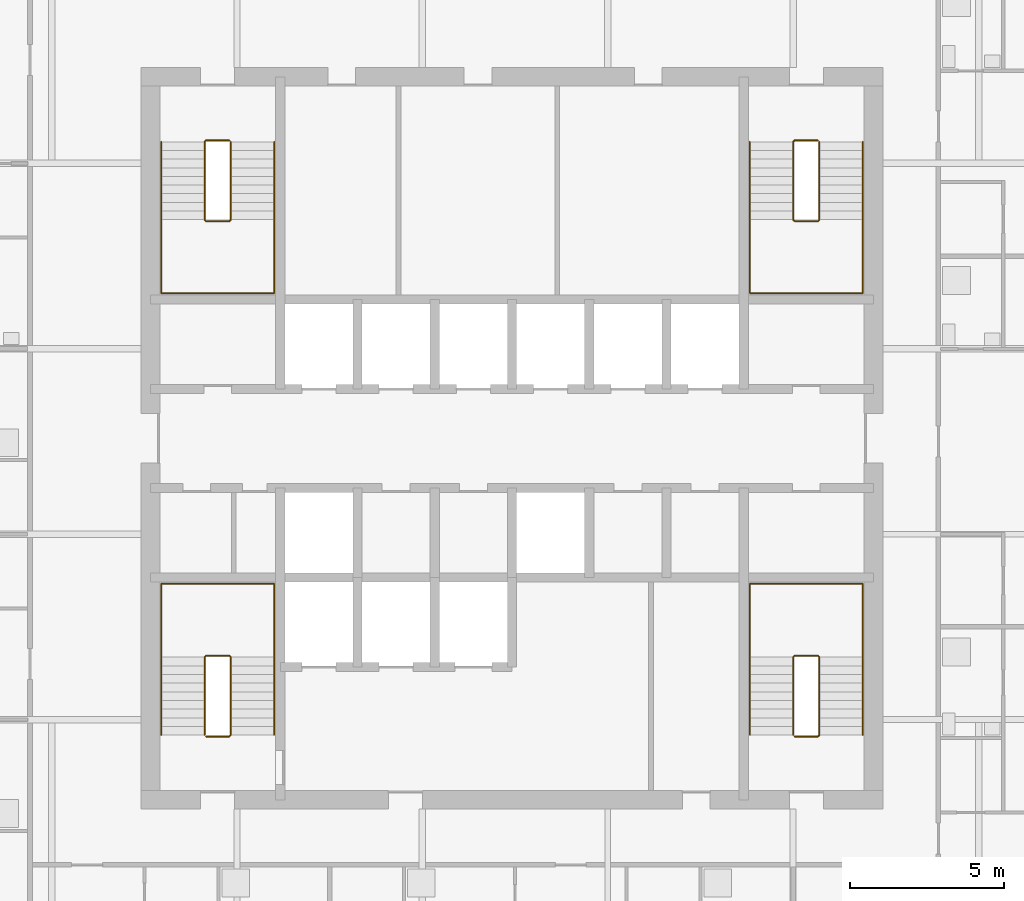
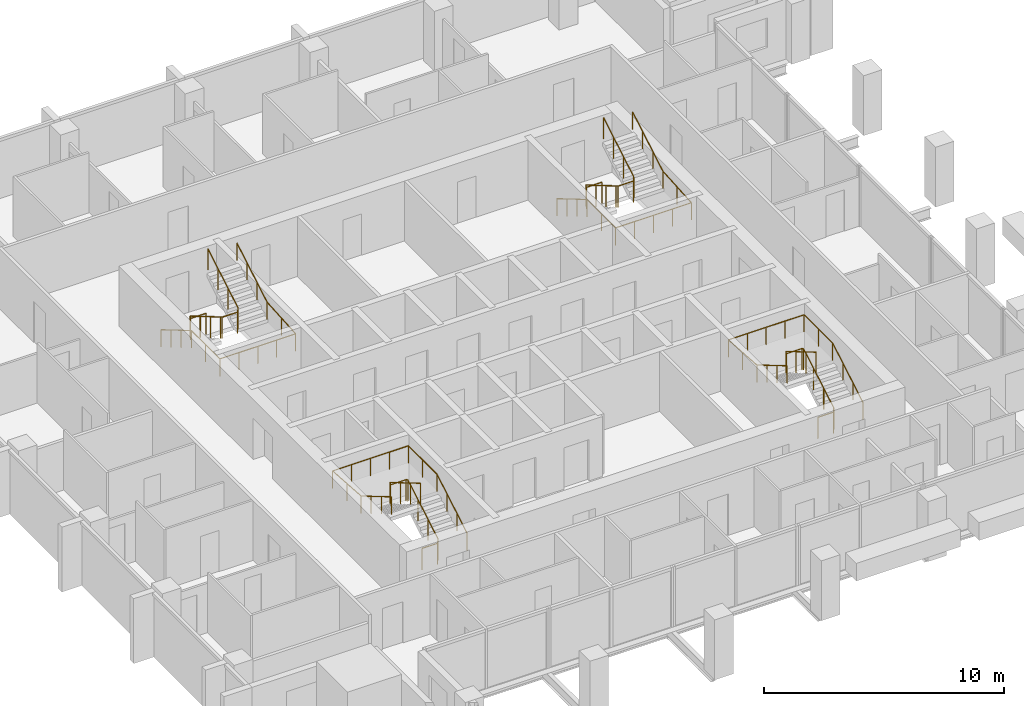
# One storey, part 13 of 14: 8 railings.
"""IFC4 building model written with IfcOpenShell, lengths in metres."""

from ifc_helpers import new_model, si_unit, direction, frame, origin, origin_2d, place, context, subcontext, project, spatial, circle, extrude, material, type_object, element, save


model = new_model("IFC4")

# Units and contexts
model_context = context("Model", 3, precision=1e-05, world=origin(), true_north=direction((0.0, 1.0)))
body_context = subcontext(model_context, "Body", "Model", "MODEL_VIEW")
ifc_project = project(units=[si_unit("LENGTHUNIT", "METRE"), si_unit("AREAUNIT", "SQUARE_METRE"), si_unit("VOLUMEUNIT", "CUBIC_METRE"), si_unit("PLANEANGLEUNIT", "RADIAN"), si_unit("MASSUNIT", "GRAM", prefix="KILO")], contexts=[model_context])

# Site, building, storey
site_placement = place(None, origin())
site = spatial("IfcSite", under=ifc_project, at=site_placement, CompositionType="ELEMENT")
building_placement = place(site_placement, origin())
building = spatial("IfcBuilding", under=site, at=building_placement, Name="Amberfall Residences", CompositionType="ELEMENT")
storey_placement = place(building_placement, frame((0.0, 0.0, 220.0)))
storey = spatial("IfcBuildingStorey", under=building, at=storey_placement, Name="L59", CompositionType="ELEMENT", Elevation=220.0)

# Railings
ifc_material = material(Name="Stainless steel 316", Category="steel")
railing_type_1 = type_object("IfcRailingType", Name="Stair guard 1100", PredefinedType="GUARDRAIL", material=ifc_material)
railing_1_placement = place(storey_placement, frame((64.60009765625, 35.85009765625, 0.0)))
element("IfcRailing", 1, at=railing_1_placement, inside=storey, type_object=railing_type_1, Name="L59 stair 1 guard", PredefinedType="GUARDRAIL", context=body_context, shape_type="SweptSolid", body=[
    extrude(circle(Radius=0.02392578125, at=origin_2d()), frame((0.0, 0.0, 1.076171875), z_axis=(1.0, 0.0, 0.0), x_axis=(0.0, 1.0, 0.0)), (0.0, 0.0, 1.0), 0.75),
    extrude(circle(Radius=0.02392578125, at=origin_2d()), frame((0.75, 0.0, 1.076171875), z_axis=(0.27755538755, 0.27755538755, 0.919742362667), x_axis=(-0.707106781187, 0.707106781187, 0.0)), (0.0, 0.0, 1.0), 0.179443359375),
    extrude(circle(Radius=0.02392578125, at=origin_2d()), frame((0.7998046875, 0.0498046875, 1.2412109375), z_axis=(0.0, 0.861560626758, 0.507654692109), x_axis=(-1.0, 0.0, 0.0)), (0.0, 0.0, 1.0), 2.925048828125),
    extrude(circle(Radius=0.02392578125, at=origin_2d()), frame((0.7998046875, 2.56982421875, 2.72607421875), z_axis=(-0.705375805398, 0.708833529934, 0.0), x_axis=(-0.708833529934, -0.705375805398, 0.0)), (0.0, 0.0, 1.0), 0.070556640625),
    extrude(circle(Radius=0.02392578125, at=origin_2d()), frame((0.75, 2.619873046875, 2.72607421875), z_axis=(-1.0, 0.0, 0.0), x_axis=(0.0, -1.0, 0.0)), (0.0, 0.0, 1.0), 0.75),
    extrude(circle(Radius=0.02392578125, at=origin_2d()), frame((0.0, 2.619873046875, 2.72607421875), z_axis=(-0.278705021027, -0.278705021027, 0.919046801044), x_axis=(0.707106781187, -0.707106781187, 0.0)), (0.0, 0.0, 1.0), 0.1796875),
    extrude(circle(Radius=0.02392578125, at=origin_2d()), frame((-0.050048828125, 2.56982421875, 2.89111328125), z_axis=(0.0, -0.86152411907, 0.507716645641), x_axis=(1.0, 0.0, 0.0)), (0.0, 0.0, 1.0), 2.925048828125),
    extrude(circle(Radius=0.02099609375, at=origin_2d()), origin(), (0.0, 0.0, 1.0), 1.052001953125),
    extrude(circle(Radius=0.02099609375, at=origin_2d()), frame((0.75, 0.0, 0.0)), (0.0, 0.0, 1.0), 1.052001953125),
    extrude(circle(Radius=0.02099609375, at=origin_2d()), frame((0.7998046875, 0.0498046875, 0.1650390625)), (0.0, 0.0, 1.0), 1.052001953125),
    extrude(circle(Radius=0.02099609375, at=origin_2d()), frame((0.7998046875, 0.889892578125, 0.659912109375)), (0.0, 0.0, 1.0), 1.052001953125),
    extrude(circle(Radius=0.02099609375, at=origin_2d()), frame((0.7998046875, 1.729736328125, 1.155029296875)), (0.0, 0.0, 1.0), 1.052001953125),
    extrude(circle(Radius=0.02099609375, at=origin_2d()), frame((0.7998046875, 2.56982421875, 1.64990234375)), (0.0, 0.0, 1.0), 1.052001953125),
    extrude(circle(Radius=0.02099609375, at=origin_2d()), frame((0.75, 2.619873046875, 1.64990234375)), (0.0, 0.0, 1.0), 1.052001953125),
    extrude(circle(Radius=0.02099609375, at=origin_2d()), frame((0.0, 2.619873046875, 1.64990234375)), (0.0, 0.0, 1.0), 1.052001953125),
    extrude(circle(Radius=0.02099609375, at=origin_2d()), frame((-0.050048828125, 2.56982421875, 1.81494140625)), (0.0, 0.0, 1.0), 1.052001953125),
    extrude(circle(Radius=0.02099609375, at=origin_2d()), frame((-0.050048828125, 1.729736328125, 2.31005859375)), (0.0, 0.0, 1.0), 1.052001953125),
    extrude(circle(Radius=0.02099609375, at=origin_2d()), frame((-0.050048828125, 0.889892578125, 2.804931640625)), (0.0, 0.0, 1.0), 1.052001953125),
    extrude(circle(Radius=0.02099609375, at=origin_2d()), frame((-0.050048828125, 0.0498046875, 3.300048828125)), (0.0, 0.0, 1.0), 1.052001953125),
])
railing_2_placement = place(storey_placement, frame((83.64990234375, 35.85009765625, 0.0)))
element("IfcRailing", 2, at=railing_2_placement, inside=storey, type_object=railing_type_1, Name="L59 stair 2 guard", PredefinedType="GUARDRAIL", context=body_context, shape_type="SweptSolid", body=[
    extrude(circle(Radius=0.02392578125, at=origin_2d()), frame((0.0, 0.0, 1.076171875), z_axis=(1.0, 0.0, 0.0), x_axis=(0.0, 1.0, 0.0)), (0.0, 0.0, 1.0), 0.75),
    extrude(circle(Radius=0.02392578125, at=origin_2d()), frame((0.75, 0.0, 1.076171875), z_axis=(0.278810427259, 0.277450376394, 0.919394384522), x_axis=(-0.705375805398, 0.708833529934, 0.0)), (0.0, 0.0, 1.0), 0.179443359375),
    extrude(circle(Radius=0.02392578125, at=origin_2d()), frame((0.800048828125, 0.0498046875, 1.2412109375), z_axis=(0.0, 0.861560626758, 0.507654692109), x_axis=(-1.0, 0.0, 0.0)), (0.0, 0.0, 1.0), 2.925048828125),
    extrude(circle(Radius=0.02392578125, at=origin_2d()), frame((0.800048828125, 2.56982421875, 2.72607421875), z_axis=(-0.707106781187, 0.707106781187, 0.0), x_axis=(-0.707106781187, -0.707106781187, 0.0)), (0.0, 0.0, 1.0), 0.07080078125),
    extrude(circle(Radius=0.02392578125, at=origin_2d()), frame((0.75, 2.619873046875, 2.72607421875), z_axis=(-1.0, 0.0, 0.0), x_axis=(0.0, -1.0, 0.0)), (0.0, 0.0, 1.0), 0.75),
    extrude(circle(Radius=0.02392578125, at=origin_2d()), frame((0.0, 2.619873046875, 2.72607421875), z_axis=(-0.277450376394, -0.278810427259, 0.919394384522), x_axis=(0.708833529934, -0.705375805398, 0.0)), (0.0, 0.0, 1.0), 0.179443359375),
    extrude(circle(Radius=0.02392578125, at=origin_2d()), frame((-0.0498046875, 2.56982421875, 2.89111328125), z_axis=(0.0, -0.86152411907, 0.507716645641), x_axis=(1.0, 0.0, 0.0)), (0.0, 0.0, 1.0), 2.925048828125),
    extrude(circle(Radius=0.02099609375, at=origin_2d()), origin(), (0.0, 0.0, 1.0), 1.052001953125),
    extrude(circle(Radius=0.02099609375, at=origin_2d()), frame((0.75, 0.0, 0.0)), (0.0, 0.0, 1.0), 1.052001953125),
    extrude(circle(Radius=0.02099609375, at=origin_2d()), frame((0.800048828125, 0.0498046875, 0.1650390625)), (0.0, 0.0, 1.0), 1.052001953125),
    extrude(circle(Radius=0.02099609375, at=origin_2d()), frame((0.800048828125, 0.889892578125, 0.659912109375)), (0.0, 0.0, 1.0), 1.052001953125),
    extrude(circle(Radius=0.02099609375, at=origin_2d()), frame((0.800048828125, 1.729736328125, 1.155029296875)), (0.0, 0.0, 1.0), 1.052001953125),
    extrude(circle(Radius=0.02099609375, at=origin_2d()), frame((0.800048828125, 2.56982421875, 1.64990234375)), (0.0, 0.0, 1.0), 1.052001953125),
    extrude(circle(Radius=0.02099609375, at=origin_2d()), frame((0.75, 2.619873046875, 1.64990234375)), (0.0, 0.0, 1.0), 1.052001953125),
    extrude(circle(Radius=0.02099609375, at=origin_2d()), frame((0.0, 2.619873046875, 1.64990234375)), (0.0, 0.0, 1.0), 1.052001953125),
    extrude(circle(Radius=0.02099609375, at=origin_2d()), frame((-0.0498046875, 2.56982421875, 1.81494140625)), (0.0, 0.0, 1.0), 1.052001953125),
    extrude(circle(Radius=0.02099609375, at=origin_2d()), frame((-0.0498046875, 1.729736328125, 2.31005859375)), (0.0, 0.0, 1.0), 1.052001953125),
    extrude(circle(Radius=0.02099609375, at=origin_2d()), frame((-0.0498046875, 0.889892578125, 2.804931640625)), (0.0, 0.0, 1.0), 1.052001953125),
    extrude(circle(Radius=0.02099609375, at=origin_2d()), frame((-0.0498046875, 0.0498046875, 3.300048828125)), (0.0, 0.0, 1.0), 1.052001953125),
])
railing_3_placement = place(storey_placement, frame((84.39990234375, 55.14990234375, 0.0)))
element("IfcRailing", 3, at=railing_3_placement, inside=storey, type_object=railing_type_1, Name="L59 stair 3 guard", PredefinedType="GUARDRAIL", context=body_context, shape_type="SweptSolid", body=[
    extrude(circle(Radius=0.02392578125, at=origin_2d()), frame((0.0, 0.0, 1.076171875), z_axis=(-1.0, 0.0, 0.0), x_axis=(0.0, -1.0, 0.0)), (0.0, 0.0, 1.0), 0.75),
    extrude(circle(Radius=0.02392578125, at=origin_2d()), frame((-0.75, 0.0, 1.076171875), z_axis=(-0.27755538755, -0.27755538755, 0.919742362667), x_axis=(0.707106781187, -0.707106781187, 0.0)), (0.0, 0.0, 1.0), 0.179443359375),
    extrude(circle(Radius=0.02392578125, at=origin_2d()), frame((-0.7998046875, -0.0498046875, 1.2412109375), z_axis=(0.0, -0.861560626758, 0.507654692109), x_axis=(1.0, 0.0, 0.0)), (0.0, 0.0, 1.0), 2.925048828125),
    extrude(circle(Radius=0.02392578125, at=origin_2d()), frame((-0.7998046875, -2.56982421875, 2.72607421875), z_axis=(0.705375805398, -0.708833529934, 0.0), x_axis=(0.708833529934, 0.705375805398, 0.0)), (0.0, 0.0, 1.0), 0.070556640625),
    extrude(circle(Radius=0.02392578125, at=origin_2d()), frame((-0.75, -2.619873046875, 2.72607421875), z_axis=(1.0, 0.0, 0.0), x_axis=(0.0, 1.0, 0.0)), (0.0, 0.0, 1.0), 0.75),
    extrude(circle(Radius=0.02392578125, at=origin_2d()), frame((0.0, -2.619873046875, 2.72607421875), z_axis=(0.278705021027, 0.278705021027, 0.919046801044), x_axis=(-0.707106781187, 0.707106781187, 0.0)), (0.0, 0.0, 1.0), 0.1796875),
    extrude(circle(Radius=0.02392578125, at=origin_2d()), frame((0.050048828125, -2.56982421875, 2.89111328125), z_axis=(0.0, 0.86152411907, 0.507716645641), x_axis=(-1.0, 0.0, 0.0)), (0.0, 0.0, 1.0), 2.925048828125),
    extrude(circle(Radius=0.02099609375, at=origin_2d()), origin(), (0.0, 0.0, 1.0), 1.052001953125),
    extrude(circle(Radius=0.02099609375, at=origin_2d()), frame((-0.75, 0.0, 0.0)), (0.0, 0.0, 1.0), 1.052001953125),
    extrude(circle(Radius=0.02099609375, at=origin_2d()), frame((-0.7998046875, -0.0498046875, 0.1650390625)), (0.0, 0.0, 1.0), 1.052001953125),
    extrude(circle(Radius=0.02099609375, at=origin_2d()), frame((-0.7998046875, -0.889892578125, 0.659912109375)), (0.0, 0.0, 1.0), 1.052001953125),
    extrude(circle(Radius=0.02099609375, at=origin_2d()), frame((-0.7998046875, -1.729736328125, 1.155029296875)), (0.0, 0.0, 1.0), 1.052001953125),
    extrude(circle(Radius=0.02099609375, at=origin_2d()), frame((-0.7998046875, -2.56982421875, 1.64990234375)), (0.0, 0.0, 1.0), 1.052001953125),
    extrude(circle(Radius=0.02099609375, at=origin_2d()), frame((-0.75, -2.619873046875, 1.64990234375)), (0.0, 0.0, 1.0), 1.052001953125),
    extrude(circle(Radius=0.02099609375, at=origin_2d()), frame((0.0, -2.619873046875, 1.64990234375)), (0.0, 0.0, 1.0), 1.052001953125),
    extrude(circle(Radius=0.02099609375, at=origin_2d()), frame((0.050048828125, -2.56982421875, 1.81494140625)), (0.0, 0.0, 1.0), 1.052001953125),
    extrude(circle(Radius=0.02099609375, at=origin_2d()), frame((0.050048828125, -1.729736328125, 2.31005859375)), (0.0, 0.0, 1.0), 1.052001953125),
    extrude(circle(Radius=0.02099609375, at=origin_2d()), frame((0.050048828125, -0.889892578125, 2.804931640625)), (0.0, 0.0, 1.0), 1.052001953125),
    extrude(circle(Radius=0.02099609375, at=origin_2d()), frame((0.050048828125, -0.0498046875, 3.300048828125)), (0.0, 0.0, 1.0), 1.052001953125),
])
railing_4_placement = place(storey_placement, frame((65.35009765625, 55.14990234375, 0.0)))
element("IfcRailing", 4, at=railing_4_placement, inside=storey, type_object=railing_type_1, Name="L59 stair 4 guard", PredefinedType="GUARDRAIL", context=body_context, shape_type="SweptSolid", body=[
    extrude(circle(Radius=0.02392578125, at=origin_2d()), frame((0.0, 0.0, 1.076171875), z_axis=(-1.0, 0.0, 0.0), x_axis=(0.0, -1.0, 0.0)), (0.0, 0.0, 1.0), 0.75),
    extrude(circle(Radius=0.02392578125, at=origin_2d()), frame((-0.75, 0.0, 1.076171875), z_axis=(-0.278810427259, -0.277450376394, 0.919394384522), x_axis=(0.705375805398, -0.708833529934, 0.0)), (0.0, 0.0, 1.0), 0.179443359375),
    extrude(circle(Radius=0.02392578125, at=origin_2d()), frame((-0.800048828125, -0.0498046875, 1.2412109375), z_axis=(0.0, -0.861560626758, 0.507654692109), x_axis=(1.0, 0.0, 0.0)), (0.0, 0.0, 1.0), 2.925048828125),
    extrude(circle(Radius=0.02392578125, at=origin_2d()), frame((-0.800048828125, -2.56982421875, 2.72607421875), z_axis=(0.707106781187, -0.707106781187, 0.0), x_axis=(0.707106781187, 0.707106781187, 0.0)), (0.0, 0.0, 1.0), 0.07080078125),
    extrude(circle(Radius=0.02392578125, at=origin_2d()), frame((-0.75, -2.619873046875, 2.72607421875), z_axis=(1.0, 0.0, 0.0), x_axis=(0.0, 1.0, 0.0)), (0.0, 0.0, 1.0), 0.75),
    extrude(circle(Radius=0.02392578125, at=origin_2d()), frame((0.0, -2.619873046875, 2.72607421875), z_axis=(0.277450376394, 0.278810427259, 0.919394384522), x_axis=(-0.708833529934, 0.705375805398, 0.0)), (0.0, 0.0, 1.0), 0.179443359375),
    extrude(circle(Radius=0.02392578125, at=origin_2d()), frame((0.0498046875, -2.56982421875, 2.89111328125), z_axis=(0.0, 0.86152411907, 0.507716645641), x_axis=(-1.0, 0.0, 0.0)), (0.0, 0.0, 1.0), 2.925048828125),
    extrude(circle(Radius=0.02099609375, at=origin_2d()), origin(), (0.0, 0.0, 1.0), 1.052001953125),
    extrude(circle(Radius=0.02099609375, at=origin_2d()), frame((-0.75, 0.0, 0.0)), (0.0, 0.0, 1.0), 1.052001953125),
    extrude(circle(Radius=0.02099609375, at=origin_2d()), frame((-0.800048828125, -0.0498046875, 0.1650390625)), (0.0, 0.0, 1.0), 1.052001953125),
    extrude(circle(Radius=0.02099609375, at=origin_2d()), frame((-0.800048828125, -0.889892578125, 0.659912109375)), (0.0, 0.0, 1.0), 1.052001953125),
    extrude(circle(Radius=0.02099609375, at=origin_2d()), frame((-0.800048828125, -1.729736328125, 1.155029296875)), (0.0, 0.0, 1.0), 1.052001953125),
    extrude(circle(Radius=0.02099609375, at=origin_2d()), frame((-0.800048828125, -2.56982421875, 1.64990234375)), (0.0, 0.0, 1.0), 1.052001953125),
    extrude(circle(Radius=0.02099609375, at=origin_2d()), frame((-0.75, -2.619873046875, 1.64990234375)), (0.0, 0.0, 1.0), 1.052001953125),
    extrude(circle(Radius=0.02099609375, at=origin_2d()), frame((0.0, -2.619873046875, 1.64990234375)), (0.0, 0.0, 1.0), 1.052001953125),
    extrude(circle(Radius=0.02099609375, at=origin_2d()), frame((0.0498046875, -2.56982421875, 1.81494140625)), (0.0, 0.0, 1.0), 1.052001953125),
    extrude(circle(Radius=0.02099609375, at=origin_2d()), frame((0.0498046875, -1.729736328125, 2.31005859375)), (0.0, 0.0, 1.0), 1.052001953125),
    extrude(circle(Radius=0.02099609375, at=origin_2d()), frame((0.0498046875, -0.889892578125, 2.804931640625)), (0.0, 0.0, 1.0), 1.052001953125),
    extrude(circle(Radius=0.02099609375, at=origin_2d()), frame((0.0498046875, -0.0498046875, 3.300048828125)), (0.0, 0.0, 1.0), 1.052001953125),
])
railing_type_2 = type_object("IfcRailingType", Name="Stair handrail 900", PredefinedType="HANDRAIL", material=ifc_material)
railing_5_placement = place(storey_placement, frame((66.800048828125, 35.89990234375, 0.1650390625)))
element("IfcRailing", 5, at=railing_5_placement, inside=storey, type_object=railing_type_2, Name="L59 stair 1 handrail", PredefinedType="HANDRAIL", context=body_context, shape_type="SweptSolid", body=[
    extrude(circle(Radius=0.02392578125, at=origin_2d()), frame((0.0, 0.0, 0.8759765625), z_axis=(0.0, 0.861560626758, 0.507654692109), x_axis=(-1.0, 0.0, 0.0)), (0.0, 0.0, 1.0), 2.925048828125),
    extrude(circle(Radius=0.02392578125, at=origin_2d()), frame((0.0, 2.52001953125, 2.36083984375), z_axis=(0.0, 1.0, 0.0), x_axis=(-1.0, 0.0, 0.0)), (0.0, 0.0, 1.0), 2.380126953125),
    extrude(circle(Radius=0.02392578125, at=origin_2d()), frame((0.0, 4.900146484375, 2.36083984375), z_axis=(-1.0, 0.0, 0.0), x_axis=(0.0, -1.0, 0.0)), (0.0, 0.0, 1.0), 3.650146484375),
    extrude(circle(Radius=0.02392578125, at=origin_2d()), frame((-3.650146484375, 4.900146484375, 2.36083984375), z_axis=(0.0, -0.997604585917, 0.069174346095), x_axis=(1.0, 0.0, 0.0)), (0.0, 0.0, 1.0), 2.3857421875),
    extrude(circle(Radius=0.02392578125, at=origin_2d()), frame((-3.650146484375, 2.52001953125, 2.52587890625), z_axis=(0.0, -0.86152411907, 0.507716645641), x_axis=(1.0, 0.0, 0.0)), (0.0, 0.0, 1.0), 2.925048828125),
    extrude(circle(Radius=0.02099609375, at=origin_2d()), origin(), (0.0, 0.0, 1.0), 0.851806640625),
    extrude(circle(Radius=0.02099609375, at=origin_2d()), frame((0.0, 0.840087890625, 0.494873046875)), (0.0, 0.0, 1.0), 0.851806640625),
    extrude(circle(Radius=0.02099609375, at=origin_2d()), frame((0.0, 1.679931640625, 0.989990234375)), (0.0, 0.0, 1.0), 0.851806640625),
    extrude(circle(Radius=0.02099609375, at=origin_2d()), frame((0.0, 2.52001953125, 1.48486328125)), (0.0, 0.0, 1.0), 0.851806640625),
    extrude(circle(Radius=0.02099609375, at=origin_2d()), frame((0.0, 3.7099609375, 1.48486328125)), (0.0, 0.0, 1.0), 0.851806640625),
    extrude(circle(Radius=0.02099609375, at=origin_2d()), frame((0.0, 4.900146484375, 1.48486328125)), (0.0, 0.0, 1.0), 0.851806640625),
    extrude(circle(Radius=0.02099609375, at=origin_2d()), frame((-0.91259765625, 4.900146484375, 1.48486328125)), (0.0, 0.0, 1.0), 0.851806640625),
    extrude(circle(Radius=0.02099609375, at=origin_2d()), frame((-1.8251953125, 4.900146484375, 1.48486328125)), (0.0, 0.0, 1.0), 0.851806640625),
    extrude(circle(Radius=0.02099609375, at=origin_2d()), frame((-2.737548828125, 4.900146484375, 1.48486328125)), (0.0, 0.0, 1.0), 0.851806640625),
    extrude(circle(Radius=0.02099609375, at=origin_2d()), frame((-3.650146484375, 4.900146484375, 1.48486328125)), (0.0, 0.0, 1.0), 0.851806640625),
    extrude(circle(Radius=0.02099609375, at=origin_2d()), frame((-3.650146484375, 3.7099609375, 1.5673828125)), (0.0, 0.0, 1.0), 0.851806640625),
    extrude(circle(Radius=0.02099609375, at=origin_2d()), frame((-3.650146484375, 2.52001953125, 1.64990234375)), (0.0, 0.0, 1.0), 0.851806640625),
    extrude(circle(Radius=0.02099609375, at=origin_2d()), frame((-3.650146484375, 1.679931640625, 2.14501953125)), (0.0, 0.0, 1.0), 0.851806640625),
    extrude(circle(Radius=0.02099609375, at=origin_2d()), frame((-3.650146484375, 0.840087890625, 2.639892578125)), (0.0, 0.0, 1.0), 0.851806640625),
    extrude(circle(Radius=0.02099609375, at=origin_2d()), frame((-3.650146484375, 0.0, 3.135009765625)), (0.0, 0.0, 1.0), 0.851806640625),
])
railing_6_placement = place(storey_placement, frame((85.85009765625, 35.89990234375, 0.1650390625)))
element("IfcRailing", 6, at=railing_6_placement, inside=storey, type_object=railing_type_2, Name="L59 stair 2 handrail", PredefinedType="HANDRAIL", context=body_context, shape_type="SweptSolid", body=[
    extrude(circle(Radius=0.02392578125, at=origin_2d()), frame((0.0, 0.0, 0.8759765625), z_axis=(0.0, 0.861560626758, 0.507654692109), x_axis=(-1.0, 0.0, 0.0)), (0.0, 0.0, 1.0), 2.925048828125),
    extrude(circle(Radius=0.02392578125, at=origin_2d()), frame((0.0, 2.52001953125, 2.36083984375), z_axis=(0.0, 1.0, 0.0), x_axis=(-1.0, 0.0, 0.0)), (0.0, 0.0, 1.0), 2.380126953125),
    extrude(circle(Radius=0.02392578125, at=origin_2d()), frame((0.0, 4.900146484375, 2.36083984375), z_axis=(-1.0, 0.0, 0.0), x_axis=(0.0, -1.0, 0.0)), (0.0, 0.0, 1.0), 3.650146484375),
    extrude(circle(Radius=0.02392578125, at=origin_2d()), frame((-3.650146484375, 4.900146484375, 2.36083984375), z_axis=(0.0, -0.997604585917, 0.069174346095), x_axis=(1.0, 0.0, 0.0)), (0.0, 0.0, 1.0), 2.3857421875),
    extrude(circle(Radius=0.02392578125, at=origin_2d()), frame((-3.650146484375, 2.52001953125, 2.52587890625), z_axis=(0.0, -0.86152411907, 0.507716645641), x_axis=(1.0, 0.0, 0.0)), (0.0, 0.0, 1.0), 2.925048828125),
    extrude(circle(Radius=0.02099609375, at=origin_2d()), origin(), (0.0, 0.0, 1.0), 0.851806640625),
    extrude(circle(Radius=0.02099609375, at=origin_2d()), frame((0.0, 0.840087890625, 0.494873046875)), (0.0, 0.0, 1.0), 0.851806640625),
    extrude(circle(Radius=0.02099609375, at=origin_2d()), frame((0.0, 1.679931640625, 0.989990234375)), (0.0, 0.0, 1.0), 0.851806640625),
    extrude(circle(Radius=0.02099609375, at=origin_2d()), frame((0.0, 2.52001953125, 1.48486328125)), (0.0, 0.0, 1.0), 0.851806640625),
    extrude(circle(Radius=0.02099609375, at=origin_2d()), frame((0.0, 3.7099609375, 1.48486328125)), (0.0, 0.0, 1.0), 0.851806640625),
    extrude(circle(Radius=0.02099609375, at=origin_2d()), frame((0.0, 4.900146484375, 1.48486328125)), (0.0, 0.0, 1.0), 0.851806640625),
    extrude(circle(Radius=0.02099609375, at=origin_2d()), frame((-0.91259765625, 4.900146484375, 1.48486328125)), (0.0, 0.0, 1.0), 0.851806640625),
    extrude(circle(Radius=0.02099609375, at=origin_2d()), frame((-1.8251953125, 4.900146484375, 1.48486328125)), (0.0, 0.0, 1.0), 0.851806640625),
    extrude(circle(Radius=0.02099609375, at=origin_2d()), frame((-2.737548828125, 4.900146484375, 1.48486328125)), (0.0, 0.0, 1.0), 0.851806640625),
    extrude(circle(Radius=0.02099609375, at=origin_2d()), frame((-3.650146484375, 4.900146484375, 1.48486328125)), (0.0, 0.0, 1.0), 0.851806640625),
    extrude(circle(Radius=0.02099609375, at=origin_2d()), frame((-3.650146484375, 3.7099609375, 1.5673828125)), (0.0, 0.0, 1.0), 0.851806640625),
    extrude(circle(Radius=0.02099609375, at=origin_2d()), frame((-3.650146484375, 2.52001953125, 1.64990234375)), (0.0, 0.0, 1.0), 0.851806640625),
    extrude(circle(Radius=0.02099609375, at=origin_2d()), frame((-3.650146484375, 1.679931640625, 2.14501953125)), (0.0, 0.0, 1.0), 0.851806640625),
    extrude(circle(Radius=0.02099609375, at=origin_2d()), frame((-3.650146484375, 0.840087890625, 2.639892578125)), (0.0, 0.0, 1.0), 0.851806640625),
    extrude(circle(Radius=0.02099609375, at=origin_2d()), frame((-3.650146484375, 0.0, 3.135009765625)), (0.0, 0.0, 1.0), 0.851806640625),
])
railing_7_placement = place(storey_placement, frame((82.199951171875, 55.10009765625, 0.1650390625)))
element("IfcRailing", 7, at=railing_7_placement, inside=storey, type_object=railing_type_2, Name="L59 stair 3 handrail", PredefinedType="HANDRAIL", context=body_context, shape_type="SweptSolid", body=[
    extrude(circle(Radius=0.02392578125, at=origin_2d()), frame((0.0, 0.0, 0.8759765625), z_axis=(0.0, -0.861560626758, 0.507654692109), x_axis=(1.0, 0.0, 0.0)), (0.0, 0.0, 1.0), 2.925048828125),
    extrude(circle(Radius=0.02392578125, at=origin_2d()), frame((0.0, -2.52001953125, 2.36083984375), z_axis=(0.0, -1.0, 0.0), x_axis=(1.0, 0.0, 0.0)), (0.0, 0.0, 1.0), 2.380126953125),
    extrude(circle(Radius=0.02392578125, at=origin_2d()), frame((0.0, -4.900146484375, 2.36083984375), z_axis=(1.0, 0.0, 0.0), x_axis=(0.0, 1.0, 0.0)), (0.0, 0.0, 1.0), 3.650146484375),
    extrude(circle(Radius=0.02392578125, at=origin_2d()), frame((3.650146484375, -4.900146484375, 2.36083984375), z_axis=(0.0, 0.997604585917, 0.069174346095), x_axis=(-1.0, 0.0, 0.0)), (0.0, 0.0, 1.0), 2.3857421875),
    extrude(circle(Radius=0.02392578125, at=origin_2d()), frame((3.650146484375, -2.52001953125, 2.52587890625), z_axis=(0.0, 0.86152411907, 0.507716645641), x_axis=(-1.0, 0.0, 0.0)), (0.0, 0.0, 1.0), 2.925048828125),
    extrude(circle(Radius=0.02099609375, at=origin_2d()), origin(), (0.0, 0.0, 1.0), 0.851806640625),
    extrude(circle(Radius=0.02099609375, at=origin_2d()), frame((0.0, -0.840087890625, 0.494873046875)), (0.0, 0.0, 1.0), 0.851806640625),
    extrude(circle(Radius=0.02099609375, at=origin_2d()), frame((0.0, -1.679931640625, 0.989990234375)), (0.0, 0.0, 1.0), 0.851806640625),
    extrude(circle(Radius=0.02099609375, at=origin_2d()), frame((0.0, -2.52001953125, 1.48486328125)), (0.0, 0.0, 1.0), 0.851806640625),
    extrude(circle(Radius=0.02099609375, at=origin_2d()), frame((0.0, -3.7099609375, 1.48486328125)), (0.0, 0.0, 1.0), 0.851806640625),
    extrude(circle(Radius=0.02099609375, at=origin_2d()), frame((0.0, -4.900146484375, 1.48486328125)), (0.0, 0.0, 1.0), 0.851806640625),
    extrude(circle(Radius=0.02099609375, at=origin_2d()), frame((0.91259765625, -4.900146484375, 1.48486328125)), (0.0, 0.0, 1.0), 0.851806640625),
    extrude(circle(Radius=0.02099609375, at=origin_2d()), frame((1.8251953125, -4.900146484375, 1.48486328125)), (0.0, 0.0, 1.0), 0.851806640625),
    extrude(circle(Radius=0.02099609375, at=origin_2d()), frame((2.737548828125, -4.900146484375, 1.48486328125)), (0.0, 0.0, 1.0), 0.851806640625),
    extrude(circle(Radius=0.02099609375, at=origin_2d()), frame((3.650146484375, -4.900146484375, 1.48486328125)), (0.0, 0.0, 1.0), 0.851806640625),
    extrude(circle(Radius=0.02099609375, at=origin_2d()), frame((3.650146484375, -3.7099609375, 1.5673828125)), (0.0, 0.0, 1.0), 0.851806640625),
    extrude(circle(Radius=0.02099609375, at=origin_2d()), frame((3.650146484375, -2.52001953125, 1.64990234375)), (0.0, 0.0, 1.0), 0.851806640625),
    extrude(circle(Radius=0.02099609375, at=origin_2d()), frame((3.650146484375, -1.679931640625, 2.14501953125)), (0.0, 0.0, 1.0), 0.851806640625),
    extrude(circle(Radius=0.02099609375, at=origin_2d()), frame((3.650146484375, -0.840087890625, 2.639892578125)), (0.0, 0.0, 1.0), 0.851806640625),
    extrude(circle(Radius=0.02099609375, at=origin_2d()), frame((3.650146484375, 0.0, 3.135009765625)), (0.0, 0.0, 1.0), 0.851806640625),
])
railing_8_placement = place(storey_placement, frame((63.14990234375, 55.10009765625, 0.1650390625)))
element("IfcRailing", 8, at=railing_8_placement, inside=storey, type_object=railing_type_2, Name="L59 stair 4 handrail", PredefinedType="HANDRAIL", context=body_context, shape_type="SweptSolid", body=[
    extrude(circle(Radius=0.02392578125, at=origin_2d()), frame((0.0, 0.0, 0.8759765625), z_axis=(0.0, -0.861560626758, 0.507654692109), x_axis=(1.0, 0.0, 0.0)), (0.0, 0.0, 1.0), 2.925048828125),
    extrude(circle(Radius=0.02392578125, at=origin_2d()), frame((0.0, -2.52001953125, 2.36083984375), z_axis=(0.0, -1.0, 0.0), x_axis=(1.0, 0.0, 0.0)), (0.0, 0.0, 1.0), 2.380126953125),
    extrude(circle(Radius=0.02392578125, at=origin_2d()), frame((0.0, -4.900146484375, 2.36083984375), z_axis=(1.0, 0.0, 0.0), x_axis=(0.0, 1.0, 0.0)), (0.0, 0.0, 1.0), 3.650146484375),
    extrude(circle(Radius=0.02392578125, at=origin_2d()), frame((3.650146484375, -4.900146484375, 2.36083984375), z_axis=(0.0, 0.997604585917, 0.069174346095), x_axis=(-1.0, 0.0, 0.0)), (0.0, 0.0, 1.0), 2.3857421875),
    extrude(circle(Radius=0.02392578125, at=origin_2d()), frame((3.650146484375, -2.52001953125, 2.52587890625), z_axis=(0.0, 0.86152411907, 0.507716645641), x_axis=(-1.0, 0.0, 0.0)), (0.0, 0.0, 1.0), 2.925048828125),
    extrude(circle(Radius=0.02099609375, at=origin_2d()), origin(), (0.0, 0.0, 1.0), 0.851806640625),
    extrude(circle(Radius=0.02099609375, at=origin_2d()), frame((0.0, -0.840087890625, 0.494873046875)), (0.0, 0.0, 1.0), 0.851806640625),
    extrude(circle(Radius=0.02099609375, at=origin_2d()), frame((0.0, -1.679931640625, 0.989990234375)), (0.0, 0.0, 1.0), 0.851806640625),
    extrude(circle(Radius=0.02099609375, at=origin_2d()), frame((0.0, -2.52001953125, 1.48486328125)), (0.0, 0.0, 1.0), 0.851806640625),
    extrude(circle(Radius=0.02099609375, at=origin_2d()), frame((0.0, -3.7099609375, 1.48486328125)), (0.0, 0.0, 1.0), 0.851806640625),
    extrude(circle(Radius=0.02099609375, at=origin_2d()), frame((0.0, -4.900146484375, 1.48486328125)), (0.0, 0.0, 1.0), 0.851806640625),
    extrude(circle(Radius=0.02099609375, at=origin_2d()), frame((0.91259765625, -4.900146484375, 1.48486328125)), (0.0, 0.0, 1.0), 0.851806640625),
    extrude(circle(Radius=0.02099609375, at=origin_2d()), frame((1.8251953125, -4.900146484375, 1.48486328125)), (0.0, 0.0, 1.0), 0.851806640625),
    extrude(circle(Radius=0.02099609375, at=origin_2d()), frame((2.737548828125, -4.900146484375, 1.48486328125)), (0.0, 0.0, 1.0), 0.851806640625),
    extrude(circle(Radius=0.02099609375, at=origin_2d()), frame((3.650146484375, -4.900146484375, 1.48486328125)), (0.0, 0.0, 1.0), 0.851806640625),
    extrude(circle(Radius=0.02099609375, at=origin_2d()), frame((3.650146484375, -3.7099609375, 1.5673828125)), (0.0, 0.0, 1.0), 0.851806640625),
    extrude(circle(Radius=0.02099609375, at=origin_2d()), frame((3.650146484375, -2.52001953125, 1.64990234375)), (0.0, 0.0, 1.0), 0.851806640625),
    extrude(circle(Radius=0.02099609375, at=origin_2d()), frame((3.650146484375, -1.679931640625, 2.14501953125)), (0.0, 0.0, 1.0), 0.851806640625),
    extrude(circle(Radius=0.02099609375, at=origin_2d()), frame((3.650146484375, -0.840087890625, 2.639892578125)), (0.0, 0.0, 1.0), 0.851806640625),
    extrude(circle(Radius=0.02099609375, at=origin_2d()), frame((3.650146484375, 0.0, 3.135009765625)), (0.0, 0.0, 1.0), 0.851806640625),
])

save(model, "model.ifc")
